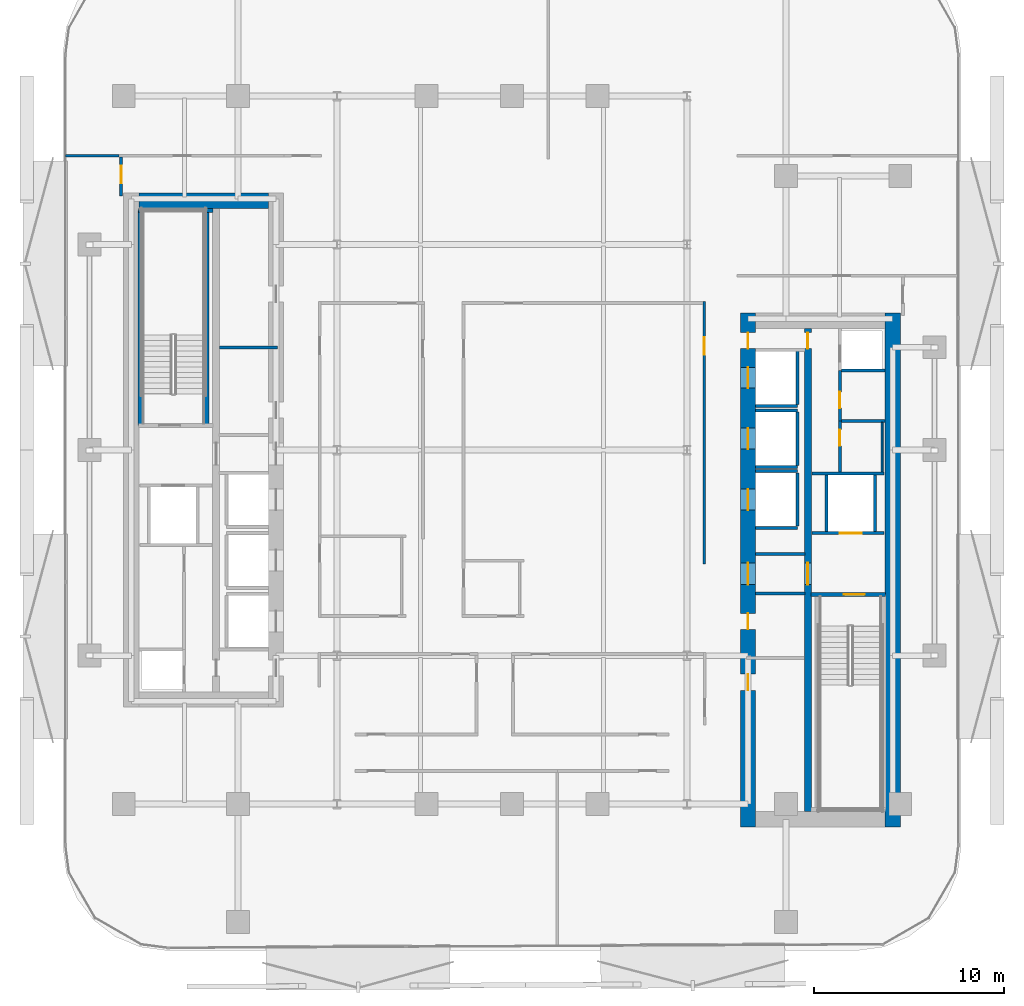
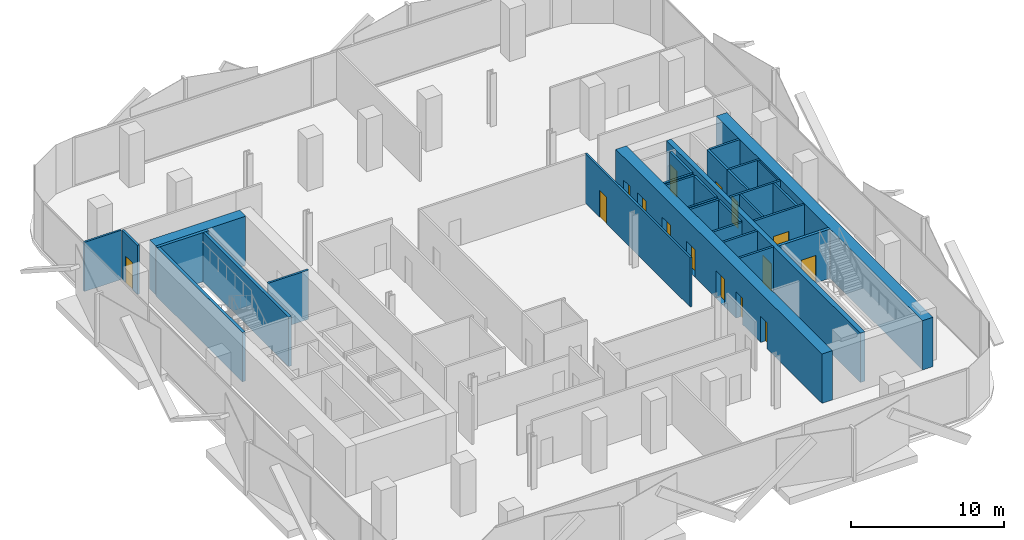
# One storey, part 5 of 15: 31 walls, 15 doors, 15 openings.
"""IFC4 building model written with IfcOpenShell, lengths in metres."""

from ifc_helpers import new_model, si_unit, direction, frame, frame_2d, origin, place, context, subcontext, project, spatial, rectangle, extrude, material, layer, layer_set, type_object, element, fill, save


model = new_model("IFC4")

# Units and contexts
model_context = context("Model", 3, precision=1e-05, world=origin(), true_north=direction((0.0, 1.0)))
body_context = subcontext(model_context, "Body", "Model", "MODEL_VIEW")
ifc_project = project(units=[si_unit("LENGTHUNIT", "METRE"), si_unit("AREAUNIT", "SQUARE_METRE"), si_unit("VOLUMEUNIT", "CUBIC_METRE"), si_unit("PLANEANGLEUNIT", "RADIAN"), si_unit("MASSUNIT", "GRAM", prefix="KILO")], contexts=[model_context])

# Site, building, storey
site_placement = place(None, origin())
site = spatial("IfcSite", under=ifc_project, at=site_placement, CompositionType="ELEMENT")
building_placement = place(site_placement, origin())
building = spatial("IfcBuilding", under=site, at=building_placement, Name="Khairoan Windgate Tower", CompositionType="ELEMENT")
storey_placement = place(building_placement, frame((0.0, 0.0, 105.800048828125)))
storey = spatial("IfcBuildingStorey", under=building, at=storey_placement, Name="L24", CompositionType="ELEMENT", Elevation=105.800048828125)

# Walls
ifc_material_1 = material(Name="Moisture-Resistant Gypsum Partition", Category="gypsum")
ifc_layer_1 = layer(ifc_material_1, 0.10009765625, Name="Moisture-Resistant Gypsum Partition")
ifc_layer_set_1 = layer_set([ifc_layer_1], Name="Moisture-Resistant Gypsum Partition")
wall_type_1 = type_object("IfcWallType", Name="Bathroom Wet-Area Partition Wall", PredefinedType="PARTITIONING", material=ifc_layer_set_1)
wall_1_placement = place(storey_placement, frame((19.449951171875, 1.449951171875, 0.0), z_axis=(0.0, 0.0, 1.0), x_axis=(0.0, -1.0, 0.0)))
element("IfcWall", 1, at=wall_1_placement, inside=storey, type_object=wall_type_1, Name="L24 Wet Room Side Wall 043", PredefinedType="PARTITIONING", context=body_context, shape_type="SweptSolid", body=[
    extrude(rectangle(XDim=2.58984375, YDim=0.10009765625, at=frame_2d((1.294921875, 0.0))), origin(), (0.0, 0.0, 1.0), 3.93994140625),
])
ifc_material_2 = material(Name="Concrete C40/50", Category="concrete")
ifc_layer_2 = layer(ifc_material_2, 0.159912109375, Name="Concrete C40/50")
ifc_layer_set_2 = layer_set([ifc_layer_2], Name="Concrete C40/50")
wall_type_2 = type_object("IfcWallType", Name="Core and Hoistway Enclosure Wall", PredefinedType="STANDARD", material=ifc_layer_set_2)
wall_2_placement = place(storey_placement, frame((12.800048828125, 2.31005859375, 0.0), z_axis=(0.0, 0.0, 1.0), x_axis=(1.0, 0.0, 0.0)))
element("IfcWall", 2, at=wall_2_placement, inside=storey, type_object=wall_type_2, Name="L24 Lift PL7 Hoistway Divider S", PredefinedType="STANDARD", context=body_context, shape_type="SweptSolid", body=[
    extrude(rectangle(XDim=2.18994140625, YDim=0.159912109375, at=frame_2d((1.094970703125, 0.0))), origin(), (0.0, 0.0, 1.0), 3.93994140625),
])
wall_3_placement = place(storey_placement, frame((14.989990234375, 2.39990234375, 0.0), z_axis=(0.0, 0.0, 1.0), x_axis=(0.0, 1.0, 0.0)))
element("IfcWall", 3, at=wall_3_placement, inside=storey, type_object=wall_type_2, Name="L24 Lift PL7 Hoistway Back Wall", PredefinedType="STANDARD", context=body_context, shape_type="SweptSolid", body=[
    extrude(rectangle(XDim=2.800048828125, YDim=0.159912109375, at=frame_2d((1.39990234375, 0.0))), origin(), (0.0, 0.0, 1.0), 3.93994140625),
])
for number, where, z_axis, x_axis, name in (
    (4, (12.800048828125, -0.889892578125, 0.0), (0.0, 0.0, 1.0), (1.0, 0.0, 0.0), "L24 Lift PL8 Hoistway Divider S"),
    (5, (12.800048828125, 2.090087890625, 0.0), (0.0, 0.0, 1.0), (1.0, 0.0, 0.0), "L24 Lift PL8 Hoistway Divider N"),
):
    element("IfcWall", number, at=place(storey_placement, frame(where, z_axis=z_axis, x_axis=x_axis)), inside=storey, type_object=wall_type_2, Name=name, PredefinedType="STANDARD", context=body_context, shape_type="SweptSolid", body=[
        extrude(rectangle(XDim=2.18994140625, YDim=0.159912109375, at=frame_2d((1.094970703125, 0.0))), origin(), (0.0, 0.0, 1.0), 3.93994140625),
    ])
wall_4_placement = place(storey_placement, frame((14.989990234375, -0.800048828125, 0.0), z_axis=(0.0, 0.0, 1.0), x_axis=(0.0, 1.0, 0.0)))
element("IfcWall", 6, at=wall_4_placement, inside=storey, type_object=wall_type_2, Name="L24 Lift PL8 Hoistway Back Wall", PredefinedType="STANDARD", context=body_context, shape_type="SweptSolid", body=[
    extrude(rectangle(XDim=2.800048828125, YDim=0.159912109375, at=frame_2d((1.39990234375, 0.0))), origin(), (0.0, 0.0, 1.0), 3.93994140625),
])
for number, where, z_axis, x_axis, name in (
    (7, (12.800048828125, -4.090087890625, 0.0), (0.0, 0.0, 1.0), (1.0, 0.0, 0.0), "L24 Lift PL9 Hoistway Divider S"),
    (8, (12.800048828125, -1.110107421875, 0.0), (0.0, 0.0, 1.0), (1.0, 0.0, 0.0), "L24 Lift PL9 Hoistway Divider N"),
):
    element("IfcWall", number, at=place(storey_placement, frame(where, z_axis=z_axis, x_axis=x_axis)), inside=storey, type_object=wall_type_2, Name=name, PredefinedType="STANDARD", context=body_context, shape_type="SweptSolid", body=[
        extrude(rectangle(XDim=2.18994140625, YDim=0.159912109375, at=frame_2d((1.094970703125, 0.0))), origin(), (0.0, 0.0, 1.0), 3.93994140625),
    ])
wall_5_placement = place(storey_placement, frame((14.989990234375, -4.0, 0.0), z_axis=(0.0, 0.0, 1.0), x_axis=(0.0, 1.0, 0.0)))
element("IfcWall", 9, at=wall_5_placement, inside=storey, type_object=wall_type_2, Name="L24 Lift PL9 Hoistway Back Wall", PredefinedType="STANDARD", context=body_context, shape_type="SweptSolid", body=[
    extrude(rectangle(XDim=2.800048828125, YDim=0.159912109375, at=frame_2d((1.39990234375, 0.0))), origin(), (0.0, 0.0, 1.0), 3.93994140625),
])

# Wall, opening, door
wall_6_placement = place(storey_placement, frame((15.75, -4.360107421875, 0.0), z_axis=(0.0, 0.0, 1.0), x_axis=(1.0, 0.0, 0.0)))
wall_6 = element("IfcWall", 10, at=wall_6_placement, inside=storey, type_object=wall_type_2, Name="L24 Core Shaft Wall SW-FL1-L24", PredefinedType="STANDARD", context=body_context, shape_type="SweptSolid", body=[
    extrude(rectangle(XDim=3.800048828125, YDim=0.159912109375, at=frame_2d((1.89990234375, 0.0))), origin(), (0.0, 0.0, 1.0), 3.93994140625),
])
opening_1_placement = place(wall_6_placement, frame((1.469970703125, 0.0, 0.0)))
opening_1 = element("IfcOpeningElement", 11, at=opening_1_placement, cuts=wall_6, Name="Opening LD-FL", PredefinedType="OPENING", context=body_context, shape_type="SweptSolid", body=[
    extrude(rectangle(XDim=1.14990234375, YDim=2.199951171875, at=frame_2d((0.574951171875, 1.10009765625))), frame((0.0, 0.08984375, 0.0), z_axis=(0.0, -1.0, 0.0), x_axis=(1.0, 0.0, 0.0)), (0.0, 0.0, 1.0), 0.179931640625),
])
ifc_material_3 = material(Name="Steel S355", Category="steel")
door_type_1 = type_object("IfcDoorType", Name="Firefighting Lift Sliding Landing Door LD-FL 1150x2200", OperationType="DOUBLE_DOOR_SLIDING", PredefinedType="DOOR", material=ifc_material_3)
door_1_placement = place(opening_1_placement, origin())
door_1 = element("IfcDoor", 12, at=door_1_placement, inside=storey, type_object=door_type_1, Name="L24 Firefighting Lift FL1 Landing Door", OperationType="DOUBLE_DOOR_SLIDING", OverallHeight=2.199951171875, OverallWidth=1.14990234375, PredefinedType="DOOR", context=body_context, shape_type="SweptSolid", body=[
    extrude(rectangle(XDim=1.14990234375, YDim=2.199951171875, at=frame_2d((0.574951171875, 1.10009765625))), frame((0.0, 0.02490234375, 0.0), z_axis=(0.0, -1.0, 0.0), x_axis=(1.0, 0.0, 0.0)), (0.0, 0.0, 1.0), 0.050048828125),
])
fill(opening_1, door_1)

# Walls
wall_7_placement = place(storey_placement, frame((15.75, -1.219970703125, 0.0), z_axis=(0.0, 0.0, 1.0), x_axis=(1.0, 0.0, 0.0)))
element("IfcWall", 13, at=wall_7_placement, inside=storey, type_object=wall_type_2, Name="L24 Core Shaft Wall SW-FL1T-L24", PredefinedType="STANDARD", context=body_context, shape_type="SweptSolid", body=[
    extrude(rectangle(XDim=3.800048828125, YDim=0.159912109375, at=frame_2d((1.89990234375, 0.0))), origin(), (0.0, 0.0, 1.0), 3.93994140625),
])
for number, where, z_axis, x_axis, name in (
    (14, (16.52001953125, -4.280029296875, 0.0), (0.0, 0.0, 1.0), (0.0, 1.0, 0.0), "L24 Core Shaft Wall SW-FL1W-L24"),
    (15, (19.080078125, -4.280029296875, 0.0), (0.0, 0.0, 1.0), (0.0, 1.0, 0.0), "L24 Core Shaft Wall SW-FL1E-L24"),
):
    element("IfcWall", number, at=place(storey_placement, frame(where, z_axis=z_axis, x_axis=x_axis)), inside=storey, type_object=wall_type_2, Name=name, PredefinedType="STANDARD", context=body_context, shape_type="SweptSolid", body=[
        extrude(rectangle(XDim=2.97998046875, YDim=0.159912109375, at=frame_2d((1.489990234375, 0.0))), origin(), (0.0, 0.0, 1.0), 3.93994140625),
    ])
for number, where, z_axis, x_axis, name in (
    (16, (12.800048828125, -5.449951171875, 0.0), (0.0, 0.0, 1.0), (1.0, 0.0, 0.0), "L24 Core Shaft Wall SW-EV1-L24"),
    (17, (12.800048828125, -7.5400390625, 0.0), (0.0, 0.0, 1.0), (1.0, 0.0, 0.0), "L24 Core Shaft Wall SW-EV2-L24"),
):
    element("IfcWall", number, at=place(storey_placement, frame(where, z_axis=z_axis, x_axis=x_axis)), inside=storey, type_object=wall_type_2, Name=name, PredefinedType="STANDARD", context=body_context, shape_type="SweptSolid", body=[
        extrude(rectangle(XDim=2.599853515625, YDim=0.159912109375, at=frame_2d((1.2998046875, 0.0))), origin(), (0.0, 0.0, 1.0), 3.93994140625),
    ])
ifc_material_4 = material(Name="Acoustic Fire-Rated Gypsum Partition", Category="gypsum")
ifc_layer_3 = layer(ifc_material_4, 0.139892578125, Name="Acoustic Fire-Rated Gypsum Partition")
ifc_layer_set_3 = layer_set([ifc_layer_3], Name="Acoustic Fire-Rated Gypsum Partition")
wall_type_3 = type_object("IfcWallType", Name="Inter-Tenancy Compartment Wall", PredefinedType="PARTITIONING", material=ifc_layer_set_3)
wall_8_placement = place(storey_placement, frame((-23.455078125, 15.4599609375, 0.0), z_axis=(0.0, 0.0, 1.0), x_axis=(1.0, 0.0, 0.0)))
element("IfcWall", 18, at=wall_8_placement, inside=storey, type_object=wall_type_3, Name="L24 Interior Partition 036", PredefinedType="PARTITIONING", context=body_context, shape_type="SweptSolid", body=[
    extrude(rectangle(XDim=2.815185546875, YDim=0.139892578125, at=frame_2d((1.40771484375, 0.0))), origin(), (0.0, 0.0, 1.0), 3.93994140625),
])
ifc_material_5 = material(Name="Concrete C40/50", Category="concrete")
ifc_layer_4 = layer(ifc_material_5, 0.159912109375, Name="Concrete C40/50")
ifc_layer_set_4 = layer_set([ifc_layer_4], Name="Concrete C40/50")
wall_type_4 = type_object("IfcWallType", Name="Plant and Refuge Compartment Wall", PredefinedType="PARTITIONING", material=ifc_layer_set_4)
wall_9_placement = place(storey_placement, frame((-15.375, 5.39990234375, 0.0), z_axis=(0.0, 0.0, 1.0), x_axis=(1.0, 0.0, 0.0)))
element("IfcWall", 19, at=wall_9_placement, inside=storey, type_object=wall_type_4, Name="L24 Interior Partition 004", PredefinedType="PARTITIONING", context=body_context, shape_type="SweptSolid", body=[
    extrude(rectangle(XDim=3.06494140625, YDim=0.159912109375, at=frame_2d((1.532470703125, 0.0))), origin(), (0.0, 0.0, 1.0), 3.93994140625),
])

# Wall, opening, door
wall_10_placement = place(storey_placement, frame((17.22998046875, -1.139892578125, 0.0), z_axis=(0.0, 0.0, 1.0), x_axis=(0.0, 1.0, 0.0)))
wall_10 = element("IfcWall", 20, at=wall_10_placement, inside=storey, type_object=wall_type_4, Name="L24 Interior Partition 006", PredefinedType="PARTITIONING", context=body_context, shape_type="SweptSolid", body=[
    extrude(rectangle(XDim=2.669921875, YDim=0.159912109375, at=frame_2d((1.3349609375, 0.0))), origin(), (0.0, 0.0, 1.0), 3.93994140625),
])
opening_2_placement = place(wall_10_placement, frame((1.360107421875, 0.0, 0.0)))
opening_2 = element("IfcOpeningElement", 21, at=opening_2_placement, cuts=wall_10, Name="Opening FD-SRV", PredefinedType="OPENING", context=body_context, shape_type="SweptSolid", body=[
    extrude(rectangle(XDim=0.85009765625, YDim=2.10009765625, at=frame_2d((0.425048828125, 1.050048828125))), frame((0.0, 0.08984375, 0.0), z_axis=(0.0, -1.0, 0.0), x_axis=(1.0, 0.0, 0.0)), (0.0, 0.0, 1.0), 0.179931640625),
])
ifc_material_6 = material(Name="Steel S355", Category="steel")
door_type_2 = type_object("IfcDoorType", Name="Core Service and Riser Fire Door FD-SRV 850x2100", OperationType="NOTDEFINED", PredefinedType="DOOR", material=ifc_material_6)
door_2_placement = place(opening_2_placement, origin())
door_2 = element("IfcDoor", 22, at=door_2_placement, inside=storey, type_object=door_type_2, Name="L24 L24-17-L24-19 Door", OperationType="SINGLE_SWING_LEFT", OverallHeight=2.10009765625, OverallWidth=0.85009765625, PredefinedType="DOOR", context=body_context, shape_type="SweptSolid", body=[
    extrude(rectangle(XDim=0.85009765625, YDim=2.10009765625, at=frame_2d((0.425048828125, 1.050048828125))), frame((0.0, 0.02490234375, 0.0), z_axis=(0.0, -1.0, 0.0), x_axis=(1.0, 0.0, 0.0)), (0.0, 0.0, 1.0), 0.050048828125),
])
fill(opening_2, door_2)

wall_11_placement = place(storey_placement, frame((17.22998046875, 1.530029296875, 0.0), z_axis=(0.0, 0.0, 1.0), x_axis=(0.0, 1.0, 0.0)))
wall_11 = element("IfcWall", 23, at=wall_11_placement, inside=storey, type_object=wall_type_4, Name="L24 Interior Partition 007", PredefinedType="PARTITIONING", context=body_context, shape_type="SweptSolid", body=[
    extrude(rectangle(XDim=2.639892578125, YDim=0.159912109375, at=frame_2d((1.31982421875, 0.0))), origin(), (0.0, 0.0, 1.0), 3.93994140625),
])
opening_3_placement = place(wall_11_placement, frame((0.677490234375, 0.0, 0.0)))
opening_3 = element("IfcOpeningElement", 24, at=opening_3_placement, cuts=wall_11, Name="Opening FD-SRV", PredefinedType="OPENING", context=body_context, shape_type="SweptSolid", body=[
    extrude(rectangle(XDim=0.85009765625, YDim=2.10009765625, at=frame_2d((0.425048828125, 1.050048828125))), frame((0.0, 0.08984375, 0.0), z_axis=(0.0, -1.0, 0.0), x_axis=(1.0, 0.0, 0.0)), (0.0, 0.0, 1.0), 0.179931640625),
])
door_3_placement = place(opening_3_placement, origin())
door_3 = element("IfcDoor", 25, at=door_3_placement, inside=storey, type_object=door_type_2, Name="L24 L24-17-L24-20 Door", OperationType="SINGLE_SWING_RIGHT", OverallHeight=2.10009765625, OverallWidth=0.85009765625, PredefinedType="DOOR", context=body_context, shape_type="SweptSolid", body=[
    extrude(rectangle(XDim=0.85009765625, YDim=2.10009765625, at=frame_2d((0.425048828125, 1.050048828125))), frame((0.0, 0.02490234375, 0.0), z_axis=(0.0, -1.0, 0.0), x_axis=(1.0, 0.0, 0.0)), (0.0, 0.0, 1.0), 0.050048828125),
])
fill(opening_3, door_3)

# Walls
for number, where, z_axis, x_axis, name in (
    (26, (17.31005859375, 4.169921875, 0.0), (0.0, 0.0, 1.0), (1.0, 0.0, 0.0), "L24 Interior Partition 008"),
    (27, (17.31005859375, 1.530029296875, 0.0), (0.0, 0.0, 1.0), (1.0, 0.0, 0.0), "L24 Interior Partition 009"),
):
    element("IfcWall", number, at=place(storey_placement, frame(where, z_axis=z_axis, x_axis=x_axis)), inside=storey, type_object=wall_type_4, Name=name, PredefinedType="PARTITIONING", context=body_context, shape_type="SweptSolid", body=[
        extrude(rectangle(XDim=2.2900390625, YDim=0.159912109375, at=frame_2d((1.14501953125, 0.0))), origin(), (0.0, 0.0, 1.0), 3.93994140625),
    ])

# Wall, opening, door
ifc_material_7 = material(Name="Acoustic Fire-Rated Gypsum Partition", Category="gypsum")
ifc_layer_5 = layer(ifc_material_7, 0.14990234375, Name="Acoustic Fire-Rated Gypsum Partition")
ifc_layer_set_5 = layer_set([ifc_layer_5], Name="Acoustic Fire-Rated Gypsum Partition")
wall_type_5 = type_object("IfcWallType", Name="Rated Corridor Partition Wall", PredefinedType="PARTITIONING", material=ifc_layer_set_5)
wall_12_placement = place(storey_placement, frame((10.10009765625, -5.97998046875, 0.0), z_axis=(0.0, 0.0, 1.0), x_axis=(0.0, 1.0, 0.0)))
wall_12 = element("IfcWall", 28, at=wall_12_placement, inside=storey, type_object=wall_type_5, Name="L24 Interior Partition 015", PredefinedType="PARTITIONING", context=body_context, shape_type="SweptSolid", body=[
    extrude(rectangle(XDim=13.77490234375, YDim=0.14990234375, at=frame_2d((6.887451171875, 0.0))), origin(), (0.0, 0.0, 1.0), 3.93994140625),
])
opening_4_placement = place(wall_12_placement, frame((10.99658203125, 0.0, 0.0)))
opening_4 = element("IfcOpeningElement", 29, at=opening_4_placement, cuts=wall_12, Name="Opening FD-ENT", PredefinedType="OPENING", context=body_context, shape_type="SweptSolid", body=[
    extrude(rectangle(XDim=0.89990234375, YDim=2.14990234375, at=frame_2d((0.449951171875, 1.074951171875))), frame((0.0, 0.0849609375, 0.0), z_axis=(0.0, -1.0, 0.0), x_axis=(1.0, 0.0, 0.0)), (0.0, 0.0, 1.0), 0.169921875),
])
ifc_material_8 = material(Name="Timber Fire-Rated Core", Category="wood")
door_type_3 = type_object("IfcDoorType", Name="Unit and Office Fire Entrance Door FD-ENT 900x2150", OperationType="NOTDEFINED", PredefinedType="DOOR", material=ifc_material_8)
door_4_placement = place(opening_4_placement, origin())
door_4 = element("IfcDoor", 30, at=door_4_placement, inside=storey, type_object=door_type_3, Name="L24 L24-29-L24-45 Door", OperationType="SINGLE_SWING_LEFT", OverallHeight=2.14990234375, OverallWidth=0.89990234375, PredefinedType="DOOR", context=body_context, shape_type="SweptSolid", body=[
    extrude(rectangle(XDim=0.89990234375, YDim=2.14990234375, at=frame_2d((0.449951171875, 1.074951171875))), frame((0.0, 0.02490234375, 0.0), z_axis=(0.0, -1.0, 0.0), x_axis=(1.0, 0.0, 0.0)), (0.0, 0.0, 1.0), 0.050048828125),
])
fill(opening_4, door_4)

wall_13_placement = place(storey_placement, frame((-20.5400390625, 13.360107421875, 0.0), z_axis=(0.0, 0.0, 1.0), x_axis=(0.0, 1.0, 0.0)))
wall_13 = element("IfcWall", 31, at=wall_13_placement, inside=storey, type_object=wall_type_5, Name="L24 Interior Partition 026", PredefinedType="PARTITIONING", context=body_context, shape_type="SweptSolid", body=[
    extrude(rectangle(XDim=2.02490234375, YDim=0.14990234375, at=frame_2d((1.012451171875, 0.0))), origin(), (0.0, 0.0, 1.0), 3.93994140625),
])
opening_5_placement = place(wall_13_placement, frame((0.6650390625, 0.0, 0.0)))
opening_5 = element("IfcOpeningElement", 32, at=opening_5_placement, cuts=wall_13, Name="Opening FD-ENT", PredefinedType="OPENING", context=body_context, shape_type="SweptSolid", body=[
    extrude(rectangle(XDim=0.89990234375, YDim=2.14990234375, at=frame_2d((0.449951171875, 1.074951171875))), frame((0.0, 0.0849609375, 0.0), z_axis=(0.0, -1.0, 0.0), x_axis=(1.0, 0.0, 0.0)), (0.0, 0.0, 1.0), 0.169921875),
])
door_5_placement = place(opening_5_placement, origin())
door_5 = element("IfcDoor", 33, at=door_5_placement, inside=storey, type_object=door_type_3, Name="L24 L24-33-L24-37 Door", OperationType="SINGLE_SWING_RIGHT", OverallHeight=2.14990234375, OverallWidth=0.89990234375, PredefinedType="DOOR", context=body_context, shape_type="SweptSolid", body=[
    extrude(rectangle(XDim=0.89990234375, YDim=2.14990234375, at=frame_2d((0.449951171875, 1.074951171875))), frame((0.0, 0.02490234375, 0.0), z_axis=(0.0, -1.0, 0.0), x_axis=(1.0, 0.0, 0.0)), (0.0, 0.0, 1.0), 0.050048828125),
])
fill(opening_5, door_5)

# Wall, openings, doors
ifc_material_9 = material(Name="Concrete C70/85", Category="concrete")
ifc_layer_6 = layer(ifc_material_9, 0.800048828125, Name="Concrete C70/85")
ifc_layer_set_6 = layer_set([ifc_layer_6], Name="Concrete C70/85")
wall_type_6 = type_object("IfcWallType", Name="Shear Wall CW-E1 800mm", PredefinedType="SHEAR", material=ifc_layer_set_6)
wall_14_placement = place(storey_placement, frame((12.39990234375, -19.800048828125, 0.0), z_axis=(0.0, 0.0, 1.0), x_axis=(0.0, 1.0, 0.0)))
wall_14 = element("IfcWall", 34, at=wall_14_placement, inside=storey, type_object=wall_type_6, Name="E Core West Shear Wall L24", PredefinedType="SHEAR", context=body_context, shape_type="SweptSolid", body=[
    extrude(rectangle(XDim=27.0, YDim=0.800048828125, at=frame_2d((13.5, 0.0))), origin(), (0.0, 0.0, 1.0), 3.93994140625),
])
opening_6_placement = place(wall_14_placement, frame((23.050048828125, 0.0, 0.0)))
opening_6 = element("IfcOpeningElement", 35, at=opening_6_placement, cuts=wall_14, Name="Opening LD-PL", PredefinedType="OPENING", context=body_context, shape_type="SweptSolid", body=[
    extrude(rectangle(XDim=1.10009765625, YDim=2.199951171875, at=frame_2d((0.550048828125, 1.10009765625))), frame((0.0, 0.409912109375, 0.0), z_axis=(0.0, -1.0, 0.0), x_axis=(1.0, 0.0, 0.0)), (0.0, 0.0, 1.0), 0.820068359375),
])
opening_7_placement = place(wall_14_placement, frame((19.85009765625, 0.0, 0.0)))
opening_7 = element("IfcOpeningElement", 36, at=opening_7_placement, cuts=wall_14, Name="Opening LD-PL", PredefinedType="OPENING", context=body_context, shape_type="SweptSolid", body=[
    extrude(rectangle(XDim=1.10009765625, YDim=2.199951171875, at=frame_2d((0.550048828125, 1.10009765625))), frame((0.0, 0.409912109375, 0.0), z_axis=(0.0, -1.0, 0.0), x_axis=(1.0, 0.0, 0.0)), (0.0, 0.0, 1.0), 0.820068359375),
])
opening_8_placement = place(wall_14_placement, frame((16.64990234375, 0.0, 0.0)))
opening_8 = element("IfcOpeningElement", 37, at=opening_8_placement, cuts=wall_14, Name="Opening LD-PL", PredefinedType="OPENING", context=body_context, shape_type="SweptSolid", body=[
    extrude(rectangle(XDim=1.10009765625, YDim=2.199951171875, at=frame_2d((0.550048828125, 1.10009765625))), frame((0.0, 0.409912109375, 0.0), z_axis=(0.0, -1.0, 0.0), x_axis=(1.0, 0.0, 0.0)), (0.0, 0.0, 1.0), 0.820068359375),
])
opening_9_placement = place(wall_14_placement, frame((7.175048828125, 0.0, 0.0)))
opening_9 = element("IfcOpeningElement", 38, at=opening_9_placement, cuts=wall_14, Name="Opening FD-SRV", PredefinedType="OPENING", context=body_context, shape_type="SweptSolid", body=[
    extrude(rectangle(XDim=0.85009765625, YDim=2.10009765625, at=frame_2d((0.425048828125, 1.050048828125))), frame((0.0, 0.409912109375, 0.0), z_axis=(0.0, -1.0, 0.0), x_axis=(1.0, 0.0, 0.0)), (0.0, 0.0, 1.0), 0.820068359375),
])
opening_10_placement = place(wall_14_placement, frame((10.375, 0.0, 0.0)))
opening_10 = element("IfcOpeningElement", 39, at=opening_10_placement, cuts=wall_14, Name="Opening FD-SRV", PredefinedType="OPENING", context=body_context, shape_type="SweptSolid", body=[
    extrude(rectangle(XDim=0.85009765625, YDim=2.10009765625, at=frame_2d((0.425048828125, 1.050048828125))), frame((0.0, 0.409912109375, 0.0), z_axis=(0.0, -1.0, 0.0), x_axis=(1.0, 0.0, 0.0)), (0.0, 0.0, 1.0), 0.820068359375),
])
opening_11_placement = place(wall_14_placement, frame((12.72509765625, 0.0, 0.0)))
opening_11 = element("IfcOpeningElement", 40, at=opening_11_placement, cuts=wall_14, Name="Opening FD-FFL", PredefinedType="OPENING", context=body_context, shape_type="SweptSolid", body=[
    extrude(rectangle(XDim=1.14990234375, YDim=2.199951171875, at=frame_2d((0.574951171875, 1.10009765625))), frame((0.0, 0.409912109375, 0.0), z_axis=(0.0, -1.0, 0.0), x_axis=(1.0, 0.0, 0.0)), (0.0, 0.0, 1.0), 0.820068359375),
])
opening_12_placement = place(wall_14_placement, frame((25.125, 0.0, 0.0)))
opening_12 = element("IfcOpeningElement", 41, at=opening_12_placement, cuts=wall_14, Name="Opening FD-SRV", PredefinedType="OPENING", context=body_context, shape_type="SweptSolid", body=[
    extrude(rectangle(XDim=0.85009765625, YDim=2.10009765625, at=frame_2d((0.425048828125, 1.050048828125))), frame((0.0, 0.409912109375, 0.0), z_axis=(0.0, -1.0, 0.0), x_axis=(1.0, 0.0, 0.0)), (0.0, 0.0, 1.0), 0.820068359375),
])
door_6_placement = place(opening_9_placement, origin())
door_6 = element("IfcDoor", 42, at=door_6_placement, inside=storey, type_object=door_type_2, Name="L24 East Core Service Room Door 1", OperationType="SINGLE_SWING_RIGHT", OverallHeight=2.10009765625, OverallWidth=0.85009765625, PredefinedType="DOOR", context=body_context, shape_type="SweptSolid", body=[
    extrude(rectangle(XDim=0.85009765625, YDim=2.10009765625, at=frame_2d((0.425048828125, 1.050048828125))), frame((0.0, 0.02490234375, 0.0), z_axis=(0.0, -1.0, 0.0), x_axis=(1.0, 0.0, 0.0)), (0.0, 0.0, 1.0), 0.050048828125),
])
fill(opening_9, door_6)
door_7_placement = place(opening_10_placement, origin())
door_7 = element("IfcDoor", 43, at=door_7_placement, inside=storey, type_object=door_type_2, Name="L24 East Core Service Room Door 2", OperationType="SINGLE_SWING_LEFT", OverallHeight=2.10009765625, OverallWidth=0.85009765625, PredefinedType="DOOR", context=body_context, shape_type="SweptSolid", body=[
    extrude(rectangle(XDim=0.85009765625, YDim=2.10009765625, at=frame_2d((0.425048828125, 1.050048828125))), frame((0.0, 0.02490234375, 0.0), z_axis=(0.0, -1.0, 0.0), x_axis=(1.0, 0.0, 0.0)), (0.0, 0.0, 1.0), 0.050048828125),
])
fill(opening_10, door_7)
door_8_placement = place(opening_12_placement, origin())
door_8 = element("IfcDoor", 44, at=door_8_placement, inside=storey, type_object=door_type_2, Name="L24 East Core Service Vestibule Outer Door", OperationType="SINGLE_SWING_RIGHT", OverallHeight=2.10009765625, OverallWidth=0.85009765625, PredefinedType="DOOR", context=body_context, shape_type="SweptSolid", body=[
    extrude(rectangle(XDim=0.85009765625, YDim=2.10009765625, at=frame_2d((0.425048828125, 1.050048828125))), frame((0.0, 0.02490234375, 0.0), z_axis=(0.0, -1.0, 0.0), x_axis=(1.0, 0.0, 0.0)), (0.0, 0.0, 1.0), 0.050048828125),
])
fill(opening_12, door_8)
ifc_material_10 = material(Name="Steel S355", Category="steel")
door_type_4 = type_object("IfcDoorType", Name="Firefighting Lobby Fire Door FD-FFL 1150x2200", OperationType="NOTDEFINED", PredefinedType="DOOR", material=ifc_material_10)
door_9_placement = place(opening_11_placement, origin())
door_9 = element("IfcDoor", 45, at=door_9_placement, inside=storey, type_object=door_type_4, Name="L24 East Core Vestibule Entry Door", OperationType="SINGLE_SWING_RIGHT", OverallHeight=2.199951171875, OverallWidth=1.14990234375, PredefinedType="DOOR", context=body_context, shape_type="SweptSolid", body=[
    extrude(rectangle(XDim=1.14990234375, YDim=2.199951171875, at=frame_2d((0.574951171875, 1.10009765625))), frame((0.0, 0.02490234375, 0.0), z_axis=(0.0, -1.0, 0.0), x_axis=(1.0, 0.0, 0.0)), (0.0, 0.0, 1.0), 0.050048828125),
])
fill(opening_11, door_9)
ifc_material_11 = material(Name="Anodised Bronze Aluminium 6063-T6", Category="aluminium")
door_type_5 = type_object("IfcDoorType", Name="Passenger Lift Sliding Landing Door LD-PL 1100x2200", OperationType="DOUBLE_DOOR_SLIDING", PredefinedType="DOOR", material=ifc_material_11)
door_10_placement = place(opening_6_placement, origin())
door_10 = element("IfcDoor", 46, at=door_10_placement, inside=storey, type_object=door_type_5, Name="L24 Lift PL7 Sliding Landing Door", OperationType="DOUBLE_DOOR_SLIDING", OverallHeight=2.199951171875, OverallWidth=1.10009765625, PredefinedType="DOOR", context=body_context, shape_type="SweptSolid", body=[
    extrude(rectangle(XDim=1.10009765625, YDim=2.199951171875, at=frame_2d((0.550048828125, 1.10009765625))), frame((0.0, 0.02490234375, 0.0), z_axis=(0.0, -1.0, 0.0), x_axis=(1.0, 0.0, 0.0)), (0.0, 0.0, 1.0), 0.050048828125),
])
fill(opening_6, door_10)
door_11_placement = place(opening_7_placement, origin())
door_11 = element("IfcDoor", 47, at=door_11_placement, inside=storey, type_object=door_type_5, Name="L24 Lift PL8 Sliding Landing Door", OperationType="DOUBLE_DOOR_SLIDING", OverallHeight=2.199951171875, OverallWidth=1.10009765625, PredefinedType="DOOR", context=body_context, shape_type="SweptSolid", body=[
    extrude(rectangle(XDim=1.10009765625, YDim=2.199951171875, at=frame_2d((0.550048828125, 1.10009765625))), frame((0.0, 0.02490234375, 0.0), z_axis=(0.0, -1.0, 0.0), x_axis=(1.0, 0.0, 0.0)), (0.0, 0.0, 1.0), 0.050048828125),
])
fill(opening_7, door_11)
door_12_placement = place(opening_8_placement, origin())
door_12 = element("IfcDoor", 48, at=door_12_placement, inside=storey, type_object=door_type_5, Name="L24 Lift PL9 Sliding Landing Door", OperationType="DOUBLE_DOOR_SLIDING", OverallHeight=2.199951171875, OverallWidth=1.10009765625, PredefinedType="DOOR", context=body_context, shape_type="SweptSolid", body=[
    extrude(rectangle(XDim=1.10009765625, YDim=2.199951171875, at=frame_2d((0.550048828125, 1.10009765625))), frame((0.0, 0.02490234375, 0.0), z_axis=(0.0, -1.0, 0.0), x_axis=(1.0, 0.0, 0.0)), (0.0, 0.0, 1.0), 0.050048828125),
])
fill(opening_8, door_12)

# Walls
wall_15_placement = place(storey_placement, frame((20.0, -19.800048828125, 0.0), z_axis=(0.0, 0.0, 1.0), x_axis=(0.0, 1.0, 0.0)))
element("IfcWall", 49, at=wall_15_placement, inside=storey, type_object=wall_type_6, Name="E Core East Shear Wall L24", PredefinedType="SHEAR", context=body_context, shape_type="SweptSolid", body=[
    extrude(rectangle(XDim=27.0, YDim=0.800048828125, at=frame_2d((13.5, 0.0))), origin(), (0.0, 0.0, 1.0), 3.93994140625),
])
ifc_material_12 = material(Name="Concrete C70/85", Category="concrete")
ifc_layer_7 = layer(ifc_material_12, 0.800048828125, Name="Concrete C70/85")
ifc_layer_set_7 = layer_set([ifc_layer_7], Name="Concrete C70/85")
wall_type_7 = type_object("IfcWallType", Name="Shear Wall CW-W1 800mm", PredefinedType="SHEAR", material=ifc_layer_set_7)
wall_16_placement = place(storey_placement, frame((-19.60009765625, 13.10009765625, 0.0), z_axis=(0.0, 0.0, 1.0), x_axis=(1.0, 0.0, 0.0)))
element("IfcWall", 50, at=wall_16_placement, inside=storey, type_object=wall_type_7, Name="W Core North Shear Wall L24", PredefinedType="SHEAR", context=body_context, shape_type="SweptSolid", body=[
    extrude(rectangle(XDim=6.800048828125, YDim=0.800048828125, at=frame_2d((3.39990234375, 0.0))), origin(), (0.0, 0.0, 1.0), 3.93994140625),
])

# Wall, openings, doors
ifc_material_13 = material(Name="Concrete C60/75", Category="concrete")
ifc_layer_8 = layer(ifc_material_13, 0.35009765625, Name="Concrete C60/75")
ifc_layer_set_8 = layer_set([ifc_layer_8], Name="Concrete C60/75")
wall_type_8 = type_object("IfcWallType", Name="Shear Wall SW-1 350mm", PredefinedType="SHEAR", material=ifc_layer_set_8)
wall_17_placement = place(storey_placement, frame((15.550048828125, -19.0, 0.0), z_axis=(0.0, 0.0, 1.0), x_axis=(0.0, 1.0, 0.0)))
wall_17 = element("IfcWall", 51, at=wall_17_placement, inside=storey, type_object=wall_type_8, Name="E Core Spine Shear Wall L24", PredefinedType="SHEAR", context=body_context, shape_type="SweptSolid", body=[
    extrude(rectangle(XDim=25.39990234375, YDim=0.35009765625, at=frame_2d((12.699951171875, 0.0))), origin(), (0.0, 0.0, 1.0), 3.93994140625),
])
opening_13_placement = place(wall_17_placement, frame((11.925048828125, 0.0, 0.0)))
opening_13 = element("IfcOpeningElement", 52, at=opening_13_placement, cuts=wall_17, Name="Opening FD-FFL", PredefinedType="OPENING", context=body_context, shape_type="SweptSolid", body=[
    extrude(rectangle(XDim=1.14990234375, YDim=2.199951171875, at=frame_2d((0.574951171875, 1.10009765625))), frame((0.0, 0.18505859375, 0.0), z_axis=(0.0, -1.0, 0.0), x_axis=(1.0, 0.0, 0.0)), (0.0, 0.0, 1.0), 0.3701171875),
])
opening_14_placement = place(wall_17_placement, frame((24.324951171875, 0.0, 0.0)))
opening_14 = element("IfcOpeningElement", 53, at=opening_14_placement, cuts=wall_17, Name="Opening FD-SRV", PredefinedType="OPENING", context=body_context, shape_type="SweptSolid", body=[
    extrude(rectangle(XDim=0.85009765625, YDim=2.10009765625, at=frame_2d((0.425048828125, 1.050048828125))), frame((0.0, 0.18505859375, 0.0), z_axis=(0.0, -1.0, 0.0), x_axis=(1.0, 0.0, 0.0)), (0.0, 0.0, 1.0), 0.3701171875),
])
door_13_placement = place(opening_14_placement, origin())
door_13 = element("IfcDoor", 54, at=door_13_placement, inside=storey, type_object=door_type_2, Name="L24 East Core Service Passage Inner Door", OperationType="SINGLE_SWING_LEFT", OverallHeight=2.10009765625, OverallWidth=0.85009765625, PredefinedType="DOOR", context=body_context, shape_type="SweptSolid", body=[
    extrude(rectangle(XDim=0.85009765625, YDim=2.10009765625, at=frame_2d((0.425048828125, 1.050048828125))), frame((0.0, 0.02490234375, 0.0), z_axis=(0.0, -1.0, 0.0), x_axis=(1.0, 0.0, 0.0)), (0.0, 0.0, 1.0), 0.050048828125),
])
fill(opening_14, door_13)
door_14_placement = place(opening_13_placement, origin())
door_14 = element("IfcDoor", 55, at=door_14_placement, inside=storey, type_object=door_type_4, Name="L24 East Firefighting Lobby Fire Door", OperationType="SINGLE_SWING_LEFT", OverallHeight=2.199951171875, OverallWidth=1.14990234375, PredefinedType="DOOR", context=body_context, shape_type="SweptSolid", body=[
    extrude(rectangle(XDim=1.14990234375, YDim=2.199951171875, at=frame_2d((0.574951171875, 1.10009765625))), frame((0.0, 0.02490234375, 0.0), z_axis=(0.0, -1.0, 0.0), x_axis=(1.0, 0.0, 0.0)), (0.0, 0.0, 1.0), 0.050048828125),
])
fill(opening_13, door_14)

# Wall, opening, door
ifc_material_14 = material(Name="Concrete C50/60", Category="concrete")
ifc_layer_9 = layer(ifc_material_14, 0.219970703125, Name="Concrete C50/60")
ifc_layer_set_9 = layer_set([ifc_layer_9], Name="Concrete C50/60")
wall_type_9 = type_object("IfcWallType", Name="Shear Wall SW-ST 220mm", PredefinedType="SHEAR", material=ifc_layer_set_9)
wall_18_placement = place(storey_placement, frame((19.6201171875, -7.590087890625, 0.0), z_axis=(0.0, 0.0, 1.0), x_axis=(-1.0, 0.0, 0.0)))
wall_18 = element("IfcWall", 56, at=wall_18_placement, inside=storey, type_object=wall_type_9, Name="L24 Stair ST1 North Bearing Wall", PredefinedType="SHEAR", context=body_context, shape_type="SweptSolid", body=[
    extrude(rectangle(XDim=3.9150390625, YDim=0.219970703125, at=frame_2d((1.95751953125, 0.0))), origin(), (0.0, 0.0, 1.0), 3.93994140625),
])
opening_15_placement = place(wall_18_placement, frame((1.080078125, 0.0, 0.0)))
opening_15 = element("IfcOpeningElement", 57, at=opening_15_placement, cuts=wall_18, Name="Opening FD-ST", PredefinedType="OPENING", context=body_context, shape_type="SweptSolid", body=[
    extrude(rectangle(XDim=1.10009765625, YDim=2.199951171875, at=frame_2d((0.550048828125, 1.10009765625))), frame((0.0, 0.119873046875, 0.0), z_axis=(0.0, -1.0, 0.0), x_axis=(1.0, 0.0, 0.0)), (0.0, 0.0, 1.0), 0.239990234375),
])
ifc_material_15 = material(Name="Steel S355", Category="steel")
door_type_6 = type_object("IfcDoorType", Name="Smokeproof Stair Fire Door FD-ST 1100x2200", OperationType="NOTDEFINED", PredefinedType="DOOR", material=ifc_material_15)
door_15_placement = place(opening_15_placement, origin())
door_15 = element("IfcDoor", 58, at=door_15_placement, inside=storey, type_object=door_type_6, Name="L24 Stair ST1 Fire Door", OperationType="SINGLE_SWING_RIGHT", OverallHeight=2.199951171875, OverallWidth=1.10009765625, PredefinedType="DOOR", context=body_context, shape_type="SweptSolid", body=[
    extrude(rectangle(XDim=1.10009765625, YDim=2.199951171875, at=frame_2d((0.550048828125, 1.10009765625))), frame((0.0, 0.02490234375, 0.0), z_axis=(0.0, -1.0, 0.0), x_axis=(1.0, 0.0, 0.0)), (0.0, 0.0, 1.0), 0.050048828125),
])
fill(opening_15, door_15)

# Walls
for number, where, z_axis, x_axis, name in (
    (59, (-16.0400390625, 1.2900390625, 0.0), (0.0, 0.0, 1.0), (0.0, 1.0, 0.0), "L24 Stair ST2 East Bearing Wall"),
    (60, (-19.530029296875, 1.2900390625, 0.0), (0.0, 0.0, 1.0), (0.0, 1.0, 0.0), "L24 Stair ST2 West Bearing Wall"),
):
    element("IfcWall", number, at=place(storey_placement, frame(where, z_axis=z_axis, x_axis=x_axis)), inside=storey, type_object=wall_type_9, Name=name, PredefinedType="SHEAR", context=body_context, shape_type="SweptSolid", body=[
        extrude(rectangle(XDim=11.300048828125, YDim=0.219970703125, at=frame_2d((5.64990234375, 0.0))), origin(), (0.0, 0.0, 1.0), 3.93994140625),
    ])
wall_19_placement = place(storey_placement, frame((-19.6201171875, 12.590087890625, 0.0), z_axis=(0.0, 0.0, 1.0), x_axis=(1.0, 0.0, 0.0)))
element("IfcWall", 61, at=wall_19_placement, inside=storey, type_object=wall_type_9, Name="L24 Stair ST2 North Bearing Wall", PredefinedType="SHEAR", context=body_context, shape_type="SweptSolid", body=[
    extrude(rectangle(XDim=3.9150390625, YDim=0.219970703125, at=frame_2d((1.95751953125, 0.0))), origin(), (0.0, 0.0, 1.0), 3.93994140625),
])

save(model, "model.ifc")
